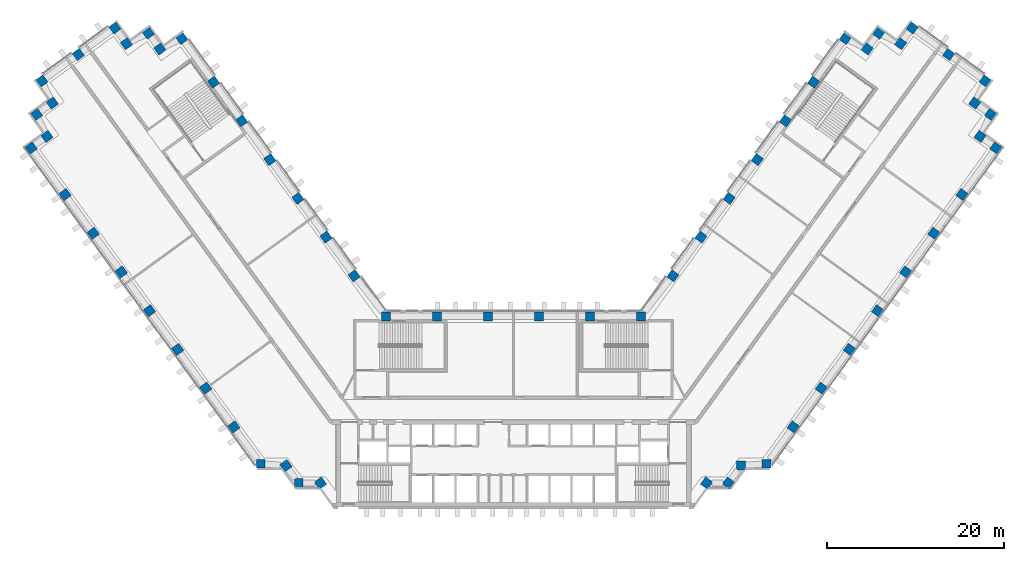
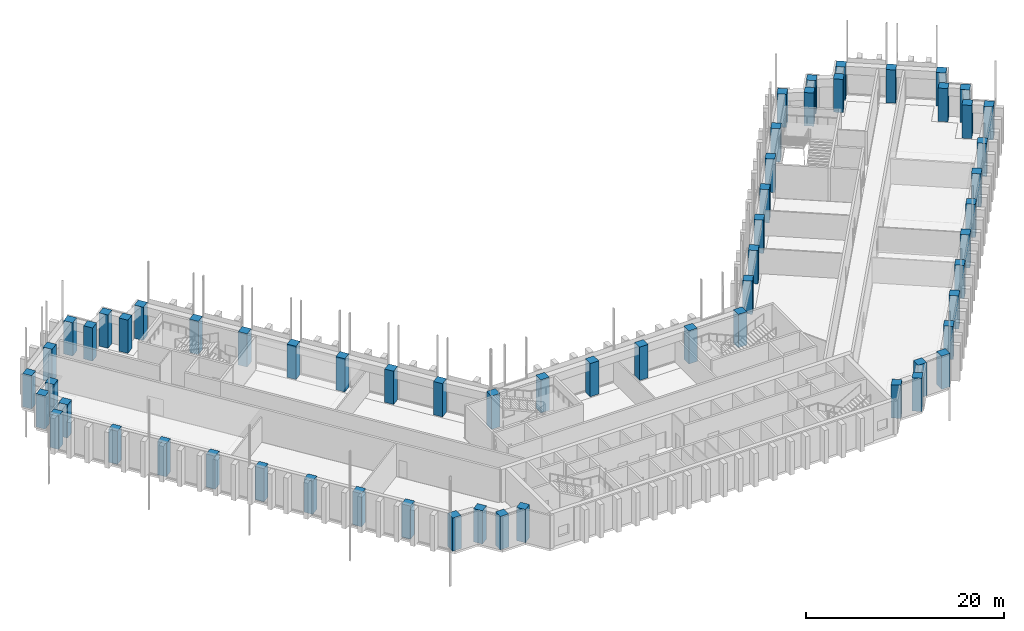
# One storey, part 1 of 18: 62 columns.
"""IFC4 building model written with IfcOpenShell, lengths in metres."""

from ifc_helpers import new_model, si_unit, direction, frame, origin, origin_2d, place, context, subcontext, project, spatial, rectangle, extrude, material, material_profile, profile_set, type_object, element, save


model = new_model("IFC4")

# Units and contexts
model_context = context("Model", 3, precision=1e-05, world=origin(), true_north=direction((0.0, 1.0)))
body_context = subcontext(model_context, "Body", "Model", "MODEL_VIEW")
ifc_project = project(units=[si_unit("LENGTHUNIT", "METRE"), si_unit("AREAUNIT", "SQUARE_METRE"), si_unit("VOLUMEUNIT", "CUBIC_METRE"), si_unit("PLANEANGLEUNIT", "RADIAN"), si_unit("MASSUNIT", "GRAM", prefix="KILO")], contexts=[model_context])

# Site, building, storey
site_placement = place(None, origin())
site = spatial("IfcSite", under=ifc_project, at=site_placement, CompositionType="ELEMENT")
building_placement = place(site_placement, origin())
building = spatial("IfcBuilding", under=site, at=building_placement, Name="Quipu Civic Tower", CompositionType="ELEMENT")
storey_placement = place(building_placement, frame((0.0, 0.0, 16.0)))
storey = spatial("IfcBuildingStorey", under=building, at=storey_placement, Name="L03", CompositionType="ELEMENT", Elevation=16.0)

# Columns
ifc_material = material(Name="Concrete C80/95", Category="concrete")
ifc_material_profile = material_profile(ifc_material, rectangle(XDim=1.0, YDim=1.0, at=origin_2d()), Name="RC1000x1000")
ifc_profile_set = profile_set([ifc_material_profile], Name="Concrete C80/95")
column_type = type_object("IfcColumnType", Name="Perimeter column RC 1000x1000 C80/95", PredefinedType="COLUMN", material=ifc_profile_set)
for number, where, z_axis, x_axis, name in (
    (1, (-17.9736328125, 15.074951171875, 0.0), (0.0, 0.0, 1.0), (-0.587785252292, 0.809016994375, 0.0), "Column L03 W-IN-01"),
    (2, (-21.1474609375, 19.44384765625, 0.0), (0.0, 0.0, 1.0), (-0.587785252292, 0.809016994375, 0.0), "Column L03 W-IN-02"),
    (3, (-24.3212890625, 23.8125, 0.0), (0.0, 0.0, 1.0), (-0.587785252292, 0.809016994375, 0.0), "Column L03 W-IN-03"),
    (4, (-27.4951171875, 28.181396484375, 0.0), (0.0, 0.0, 1.0), (-0.587785252292, 0.809016994375, 0.0), "Column L03 W-IN-04"),
    (5, (-30.6689453125, 32.55029296875, 0.0), (0.0, 0.0, 1.0), (-0.587785252292, 0.809016994375, 0.0), "Column L03 W-IN-05"),
    (6, (-33.843017578125, 36.919189453125, 0.0), (0.0, 0.0, 1.0), (-0.587785252292, 0.809016994375, 0.0), "Column L03 W-IN-06"),
    (7, (-37.425048828125, 41.85009765625, 0.0), (0.0, 0.0, 1.0), (-0.587785252292, 0.809016994375, 0.0), "Column L03 T-Wi.0-W50"),
    (8, (-39.905517578125, 40.666015625, 0.0), (0.0, 0.0, 1.0), (-0.587785252292, 0.809016994375, 0.0), "Column L03 T-Wi.1-W50"),
    (9, (-41.199951171875, 42.445068359375, 0.0), (0.0, 0.0, 1.0), (-0.587785252292, 0.809016994375, 0.0), "Column L03 T-Wi.2-W50"),
    (10, (-43.674560546875, 41.264892578125, 0.0), (0.0, 0.0, 1.0), (-0.809016994375, -0.587785252292, 0.0), "Column L03 T-Wi.3-W50"),
    (11, (-44.969970703125, 43.044921875, 0.0), (0.0, 0.0, 1.0), (-0.809016994375, -0.587785252292, 0.0), "Column L03 T-Wi.4-W50"),
    (12, (-49.095703125, 40.046875, 0.0), (0.0, 0.0, 1.0), (-0.809016994375, -0.587785252292, 0.0), "Column L03 TIP-W-01-W50"),
    (13, (-53.219970703125, 37.050048828125, 0.0), (0.0, 0.0, 1.0), (0.587785252292, -0.809016994375, 0.0), "Column L03 T-Wo.0-W50"),
    (14, (-52.038818359375, 34.571044921875, 0.0), (0.0, 0.0, 1.0), (-0.809016994375, -0.587785252292, 0.0), "Column L03 T-Wo.1-W50"),
    (15, (-53.820068359375, 33.27490234375, 0.0), (0.0, 0.0, 1.0), (0.587785252292, -0.809016994375, 0.0), "Column L03 T-Wo.2-W50"),
    (16, (-52.635986328125, 30.799560546875, 0.0), (0.0, 0.0, 1.0), (-0.809016994375, -0.587785252292, 0.0), "Column L03 T-Wo.3-W50"),
    (17, (-54.4150390625, 29.5048828125, 0.0), (0.0, 0.0, 1.0), (0.587785252292, -0.809016994375, 0.0), "Column L03 T-Wo.4-W50"),
    (18, (-50.59228515625, 24.243408203125, 0.0), (0.0, 0.0, 1.0), (0.587785252292, -0.809016994375, 0.0), "Column L03 W-OUT-07"),
    (19, (-47.41845703125, 19.874755859375, 0.0), (0.0, 0.0, 1.0), (0.587785252292, -0.809016994375, 0.0), "Column L03 W-OUT-06"),
    (20, (-44.244384765625, 15.506103515625, 0.0), (0.0, 0.0, 1.0), (0.587785252292, -0.809016994375, 0.0), "Column L03 W-OUT-05"),
    (21, (-41.0703125, 11.137451171875, 0.0), (0.0, 0.0, 1.0), (0.587785252292, -0.809016994375, 0.0), "Column L03 W-OUT-04"),
    (22, (-37.896240234375, 6.768798828125, 0.0), (0.0, 0.0, 1.0), (0.587785252292, -0.809016994375, 0.0), "Column L03 W-OUT-03"),
    (23, (-34.722412109375, 2.39990234375, 0.0), (0.0, 0.0, 1.0), (0.587785252292, -0.809016994375, 0.0), "Column L03 W-OUT-02"),
    (24, (-31.54833984375, -1.96875, 0.0), (0.0, 0.0, 1.0), (0.587785252292, -0.809016994375, 0.0), "Column L03 W-OUT-01"),
    (25, (-28.52490234375, -6.1298828125, 0.0), (0.0, 0.0, 1.0), (1.0, 0.0, 0.0), "Column L03 J-Wo.0"),
    (26, (-25.67431640625, -6.3369140625, 0.0), (0.0, 0.0, 1.0), (0.587785252292, -0.809016994375, 0.0), "Column L03 J-Wo.1"),
    (27, (-24.235107421875, -8.31494140625, 0.0), (0.0, 0.0, 1.0), (1.0, 0.0, 0.0), "Column L03 J-Wo.2"),
    (28, (-21.791748046875, -8.31494140625, 0.0), (0.0, 0.0, 1.0), (0.587785252292, -0.809016994375, 0.0), "Column L03 J-Wo.3"),
    (29, (21.791748046875, -8.31494140625, 0.0), (0.0, 0.0, 1.0), (0.587785252292, 0.809016994375, 0.0), "Column L03 J-Eo.1"),
    (30, (24.235107421875, -8.31494140625, 0.0), (0.0, 0.0, 1.0), (0.587785252292, 0.809016994375, 0.0), "Column L03 J-Eo.2"),
    (31, (25.67431640625, -6.3369140625, 0.0), (0.0, 0.0, 1.0), (1.0, 0.0, 0.0), "Column L03 J-Eo.3"),
    (32, (28.52490234375, -6.1298828125, 0.0), (0.0, 0.0, 1.0), (1.0, 0.0, 0.0), "Column L03 J-Eo.4"),
    (33, (31.54833984375, -1.96875, 0.0), (0.0, 0.0, 1.0), (0.587785252292, 0.809016994375, 0.0), "Column L03 E-OUT-01"),
    (34, (34.722412109375, 2.39990234375, 0.0), (0.0, 0.0, 1.0), (0.587785252292, 0.809016994375, 0.0), "Column L03 E-OUT-02"),
    (35, (37.896240234375, 6.768798828125, 0.0), (0.0, 0.0, 1.0), (0.587785252292, 0.809016994375, 0.0), "Column L03 E-OUT-03"),
    (36, (41.0703125, 11.137451171875, 0.0), (0.0, 0.0, 1.0), (0.587785252292, 0.809016994375, 0.0), "Column L03 E-OUT-04"),
    (37, (44.244384765625, 15.506103515625, 0.0), (0.0, 0.0, 1.0), (0.587785252292, 0.809016994375, 0.0), "Column L03 E-OUT-05"),
    (38, (47.41845703125, 19.874755859375, 0.0), (0.0, 0.0, 1.0), (0.587785252292, 0.809016994375, 0.0), "Column L03 E-OUT-06"),
    (39, (50.59228515625, 24.243408203125, 0.0), (0.0, 0.0, 1.0), (0.587785252292, 0.809016994375, 0.0), "Column L03 E-OUT-07"),
    (40, (54.4150390625, 29.5048828125, 0.0), (0.0, 0.0, 1.0), (0.587785252292, 0.809016994375, 0.0), "Column L03 T-Eo.0-E50"),
    (41, (52.635986328125, 30.799560546875, 0.0), (0.0, 0.0, 1.0), (-0.809016994375, 0.587785252292, 0.0), "Column L03 T-Eo.1-E50"),
    (42, (53.820068359375, 33.27490234375, 0.0), (0.0, 0.0, 1.0), (-0.809016994375, 0.587785252292, 0.0), "Column L03 T-Eo.2-E50"),
    (43, (52.038818359375, 34.571044921875, 0.0), (0.0, 0.0, 1.0), (0.587785252292, 0.809016994375, 0.0), "Column L03 T-Eo.3-E50"),
    (44, (53.219970703125, 37.050048828125, 0.0), (0.0, 0.0, 1.0), (-0.809016994375, 0.587785252292, 0.0), "Column L03 T-Eo.4-E50"),
    (45, (49.095703125, 40.046875, 0.0), (0.0, 0.0, 1.0), (-0.809016994375, 0.587785252292, 0.0), "Column L03 TIP-E-01-E50"),
    (46, (44.969970703125, 43.044921875, 0.0), (0.0, 0.0, 1.0), (-0.809016994375, 0.587785252292, 0.0), "Column L03 T-Ei.0-E50"),
    (47, (43.674560546875, 41.264892578125, 0.0), (0.0, 0.0, 1.0), (-0.809016994375, 0.587785252292, 0.0), "Column L03 T-Ei.1-E50"),
    (48, (41.199951171875, 42.445068359375, 0.0), (0.0, 0.0, 1.0), (-0.587785252292, -0.809016994375, 0.0), "Column L03 T-Ei.2-E50"),
    (49, (39.905517578125, 40.666015625, 0.0), (0.0, 0.0, 1.0), (-0.587785252292, -0.809016994375, 0.0), "Column L03 T-Ei.3-E50"),
    (50, (37.425048828125, 41.85009765625, 0.0), (0.0, 0.0, 1.0), (-0.587785252292, -0.809016994375, 0.0), "Column L03 T-Ei.4-E50"),
    (51, (33.843017578125, 36.919189453125, 0.0), (0.0, 0.0, 1.0), (-0.587785252292, -0.809016994375, 0.0), "Column L03 E-IN-06"),
    (52, (30.6689453125, 32.55029296875, 0.0), (0.0, 0.0, 1.0), (-0.587785252292, -0.809016994375, 0.0), "Column L03 E-IN-05"),
    (53, (27.4951171875, 28.181396484375, 0.0), (0.0, 0.0, 1.0), (-0.587785252292, -0.809016994375, 0.0), "Column L03 E-IN-04"),
    (54, (24.3212890625, 23.8125, 0.0), (0.0, 0.0, 1.0), (-0.587785252292, -0.809016994375, 0.0), "Column L03 E-IN-03"),
    (55, (21.1474609375, 19.44384765625, 0.0), (0.0, 0.0, 1.0), (-0.587785252292, -0.809016994375, 0.0), "Column L03 E-IN-02"),
    (56, (17.9736328125, 15.074951171875, 0.0), (0.0, 0.0, 1.0), (-0.587785252292, -0.809016994375, 0.0), "Column L03 E-IN-01"),
    (57, (14.395263671875, 10.5, 0.0), (0.0, 0.0, 1.0), (-1.0, 0.0, 0.0), "Column L03 J-Ei.0"),
    (58, (8.63720703125, 10.5, 0.0), (0.0, 0.0, 1.0), (-1.0, 0.0, 0.0), "Column L03 FRONT-01"),
    (59, (2.87890625, 10.5, 0.0), (0.0, 0.0, 1.0), (-1.0, 0.0, 0.0), "Column L03 FRONT-02"),
    (60, (-2.87890625, 10.5, 0.0), (0.0, 0.0, 1.0), (-1.0, 0.0, 0.0), "Column L03 FRONT-03"),
    (61, (-8.63720703125, 10.5, 0.0), (0.0, 0.0, 1.0), (-1.0, 0.0, 0.0), "Column L03 FRONT-04"),
    (62, (-14.395263671875, 10.5, 0.0), (0.0, 0.0, 1.0), (-1.0, 0.0, 0.0), "Column L03 J-Wi.0"),
):
    element("IfcColumn", number, at=place(storey_placement, frame(where, z_axis=z_axis, x_axis=x_axis)), inside=storey, type_object=column_type, Name=name, PredefinedType="COLUMN", context=body_context, shape_type="SweptSolid", body=[
        extrude(rectangle(XDim=1.0, YDim=1.0, at=origin_2d()), origin(), (0.0, 0.0, 1.0), 4.10009765625),
    ])

save(model, "model.ifc")
